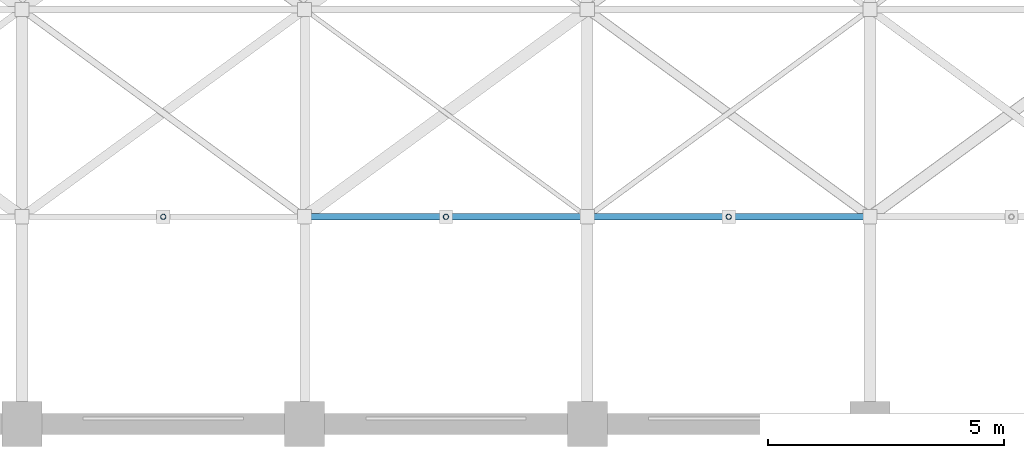
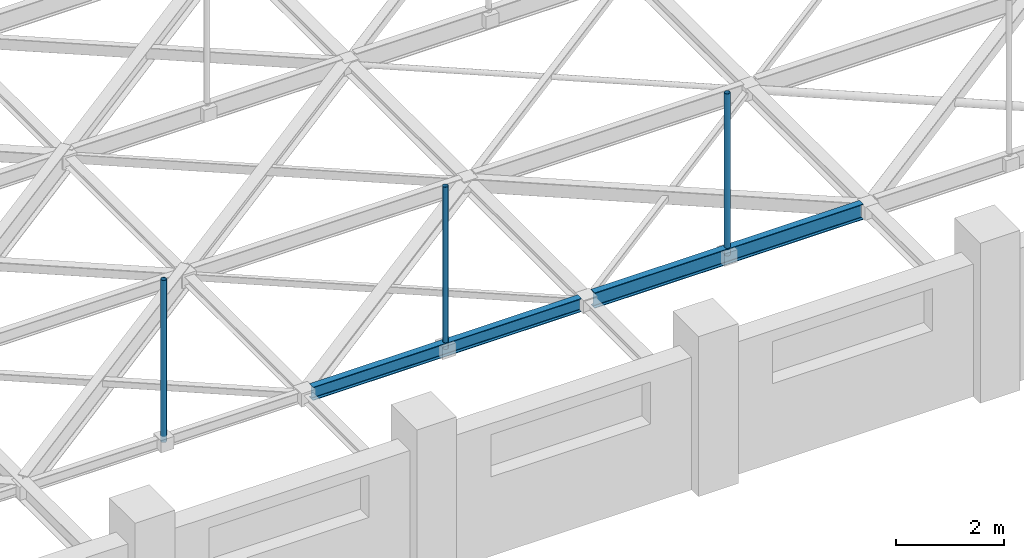
# One storey, part 31 of 93: 3 members, 2 beams.
"""IFC4 building model written with IfcOpenShell, lengths in metres."""

from ifc_helpers import new_model, si_unit, direction, frame, origin, origin_2d, place, context, subcontext, project, spatial, hollow_circle, i_section, extrude, material, material_profile, profile_set, type_object, element, save


model = new_model("IFC4")

# Units and contexts
model_context = context("Model", 3, precision=1e-05, world=origin(), true_north=direction((0.0, 1.0)))
body_context = subcontext(model_context, "Body", "Model", "MODEL_VIEW")
ifc_project = project(units=[si_unit("LENGTHUNIT", "METRE"), si_unit("AREAUNIT", "SQUARE_METRE"), si_unit("VOLUMEUNIT", "CUBIC_METRE"), si_unit("PLANEANGLEUNIT", "RADIAN"), si_unit("MASSUNIT", "GRAM", prefix="KILO")], contexts=[model_context])

# Site, building, storey
site_placement = place(None, origin())
site = spatial("IfcSite", under=ifc_project, at=site_placement, CompositionType="ELEMENT")
building_placement = place(site_placement, origin())
building = spatial("IfcBuilding", under=site, at=building_placement, Name="Varnakota Cinema and Media Centre", CompositionType="ELEMENT")
storey_placement = place(building_placement, frame((0.0, 0.0, 12.0)))
storey = spatial("IfcBuildingStorey", under=building, at=storey_placement, Name="L03", CompositionType="ELEMENT", Elevation=12.0)

# Beams
ifc_material_1 = material(Name="Structural steel Grade 350 (E350)", Category="steel")
ifc_material_profile_1 = material_profile(ifc_material_1, i_section(OverallWidth=0.139892578125, OverallDepth=0.300048828125, WebThickness=0.0078125, FlangeThickness=0.01318359375, FilletRadius=0.013916015625, at=origin_2d()), Name="ISMB 300")
ifc_profile_set_1 = profile_set([ifc_material_profile_1], Name="Structural steel Grade 350 (E350)")
beam_type_1 = type_object("IfcBeamType", Name="BM-ST-ISMB300", PredefinedType="JOIST", material=ifc_profile_set_1)
beam_1_placement = place(storey_placement, frame((99.139892578125, 4.39990234375, 1.300048828125), z_axis=(1.0, 0.0, 0.0), x_axis=(0.0, 1.0, 0.0)))
element("IfcBeam", 1, at=beam_1_placement, inside=storey, type_object=beam_type_1, Name="V1 rigging beam 5.1", PredefinedType="JOIST", context=body_context, shape_type="SweptSolid", body=[
    extrude(i_section(OverallWidth=0.139892578125, OverallDepth=0.300048828125, WebThickness=0.0078125, FlangeThickness=0.01318359375, FilletRadius=0.013916015625, at=origin_2d()), origin(), (0.0, 0.0, 1.0), 5.72021484375),
])
ifc_material_2 = material(Name="Structural steel Grade 350 (E350)", Category="steel")
ifc_material_profile_2 = material_profile(ifc_material_2, i_section(OverallWidth=0.139892578125, OverallDepth=0.35009765625, WebThickness=0.008056640625, FlangeThickness=0.01416015625, FilletRadius=0.013916015625, at=origin_2d()), Name="ISMB 350")
ifc_profile_set_2 = profile_set([ifc_material_profile_2], Name="Structural steel Grade 350 (E350)")
beam_type_2 = type_object("IfcBeamType", Name="BM-ST-ISMB350", PredefinedType="JOIST", material=ifc_profile_set_2)
beam_2_placement = place(storey_placement, frame((105.139892578125, 4.39990234375, 1.300048828125), z_axis=(1.0, 0.0, 0.0), x_axis=(0.0, 1.0, 0.0)))
element("IfcBeam", 2, at=beam_2_placement, inside=storey, type_object=beam_type_2, Name="V1 rigging beam 6.1", PredefinedType="JOIST", context=body_context, shape_type="SweptSolid", body=[
    extrude(i_section(OverallWidth=0.139892578125, OverallDepth=0.35009765625, WebThickness=0.008056640625, FlangeThickness=0.01416015625, FilletRadius=0.013916015625, at=origin_2d()), origin(), (0.0, 0.0, 1.0), 5.72021484375),
])

# Members
ifc_material_3 = material(Name="Structural steel S355 (YSt 355)", Category="steel")
ifc_material_profile_3 = material_profile(ifc_material_3, hollow_circle(Radius=0.05712890625, WallThickness=0.00537109375, at=origin_2d()), Name="CHS 114.3x5.4")
ifc_profile_set_3 = profile_set([ifc_material_profile_3], Name="Structural steel S355 (YSt 355)")
member_type = type_object("IfcMemberType", Name="MEM-ST-CHS114_3x5_4", PredefinedType="BRACE", material=ifc_profile_set_3)
for number, where, z_axis, x_axis, name in (
    (3, (96.0, 4.39990234375, 1.300048828125), (0.0, 0.0, 1.0), (1.0, 0.0, 0.0), "V1 rigging hanger 4.1"),
    (4, (102.0, 4.39990234375, 1.300048828125), (0.0, 0.0, 1.0), (1.0, 0.0, 0.0), "V1 rigging hanger 5.1"),
    (5, (108.0, 4.39990234375, 1.300048828125), (0.0, 0.0, 1.0), (1.0, 0.0, 0.0), "V1 rigging hanger 6.1"),
):
    element("IfcMember", number, at=place(storey_placement, frame(where, z_axis=z_axis, x_axis=x_axis)), inside=storey, type_object=member_type, Name=name, PredefinedType="BRACE", context=body_context, shape_type="SweptSolid", body=[
        extrude(hollow_circle(Radius=0.05712890625, WallThickness=0.00537109375, at=origin_2d()), origin(), (0.0, 0.0, 1.0), 3.64990234375),
    ])

save(model, "model.ifc")
